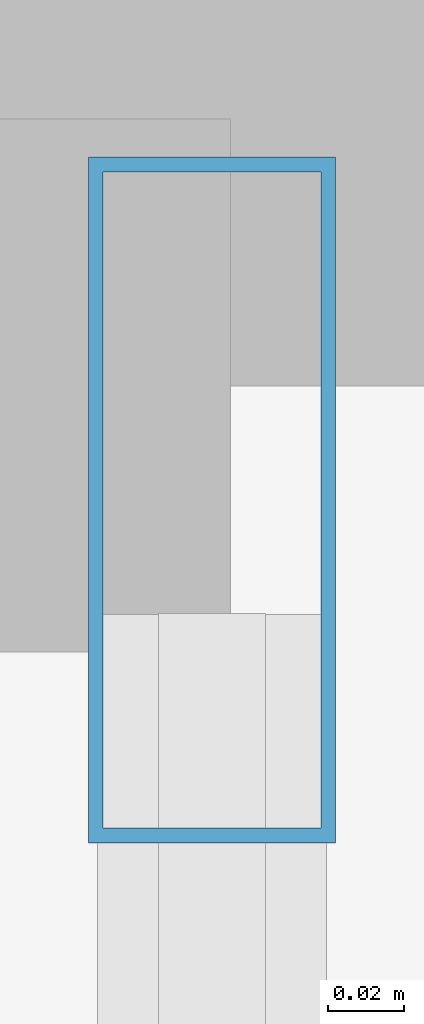
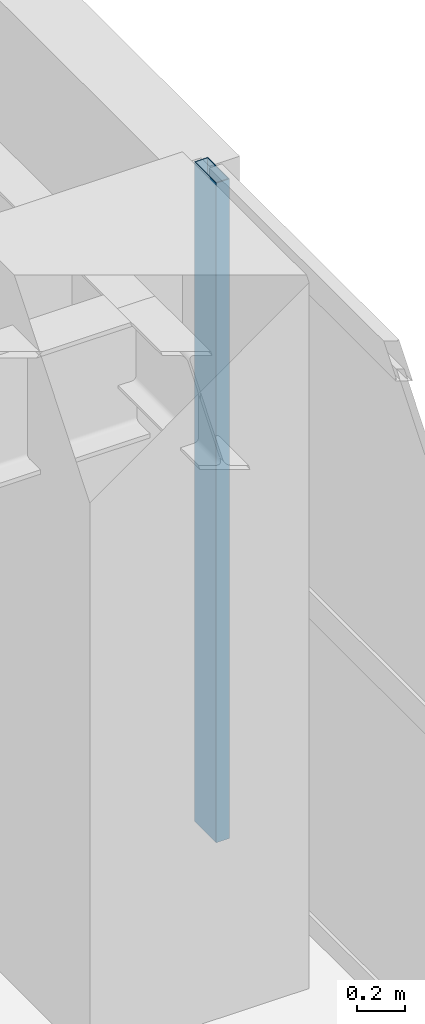
# One storey, part 6 of 16: 1 member, 1 element without a shape of its own.
"""IFC4 building model written with IfcOpenShell, lengths in metres."""

from ifc_helpers import new_model, si_unit, direction, frame, origin, origin_2d, place, context, subcontext, project, spatial, hollow_rectangle, extrude, source, transform, mapped, material, layer, layer_set, material_profile, profile_set, type_object, element, aggregate, save


model = new_model("IFC4")

# Units and contexts
model_context = context("Model", 3, precision=1e-05, world=origin(), true_north=direction((0.0, 1.0)))
body_context = subcontext(model_context, "Body", "Model", "MODEL_VIEW")
ifc_project = project(units=[si_unit("LENGTHUNIT", "METRE"), si_unit("AREAUNIT", "SQUARE_METRE"), si_unit("VOLUMEUNIT", "CUBIC_METRE"), si_unit("PLANEANGLEUNIT", "RADIAN"), si_unit("MASSUNIT", "GRAM", prefix="KILO")], contexts=[model_context])

# Site, building, storey
site_placement = place(None, origin())
site = spatial("IfcSite", under=ifc_project, at=site_placement, CompositionType="ELEMENT")
building_placement = place(site_placement, origin())
building = spatial("IfcBuilding", under=site, at=building_placement, Name="Khoralis Quay Care Tower", CompositionType="ELEMENT")
storey_placement = place(building_placement, frame((0.0, 0.0, 137.699951171875)))
storey = spatial("IfcBuildingStorey", under=building, at=storey_placement, Name="L36", CompositionType="ELEMENT", Elevation=137.699951171875)

# Curtain wall, member
ifc_material = material(Name="Pale anodised aluminium", Category="aluminium")
ifc_layer = layer(ifc_material, 0.169921875)
ifc_layer_set = layer_set([ifc_layer], Name="Pale anodised aluminium")
curtain_wall_type = type_object("IfcCurtainWallType", Name="CW-SYS-Z2", PredefinedType="NOTDEFINED", material=ifc_layer_set)
curtain_wall_placement = place(storey_placement, origin())
curtain_wall = element("IfcCurtainWall", 1, at=curtain_wall_placement, inside=storey, type_object=curtain_wall_type, Name="L36 Unitised Curtain Wall CW-L36-P1-E5", PredefinedType="NOTDEFINED")
ifc_material_profile = material_profile(ifc_material, hollow_rectangle(XDim=0.06494140625, YDim=0.179931640625, WallThickness=0.00390625, at=origin_2d()), Name="Pale anodised aluminium")
ifc_profile_set = profile_set([ifc_material_profile], Name="Pale anodised aluminium")
member_type = type_object("IfcMemberType", Name="CW-MUL-180", PredefinedType="MULLION", material=ifc_profile_set)
shared_shape = source(origin(), body_context, "Body", "SweptSolid", [
    extrude(hollow_rectangle(XDim=0.06494140625, YDim=0.179931640625, WallThickness=0.00390625, at=origin_2d()), origin(), (0.0, 0.0, 1.0), 3.340087890625),
])
member_placement = place(storey_placement, frame((44.85009765625, 24.669921875, 0.0), z_axis=(0.0, 0.0, 1.0), x_axis=(-1.0, 0.0, 0.0)))
member = element("IfcMember", 2, at=member_placement, type_object=member_type, Name="CW2 mullion 4", PredefinedType="MULLION", context=body_context, shape_type="MappedRepresentation", body=[
    mapped(shared_shape, transform((0.0, 0.0, 0.0), scale=1.0)),
])
aggregate(curtain_wall, [member])

save(model, "model.ifc")
